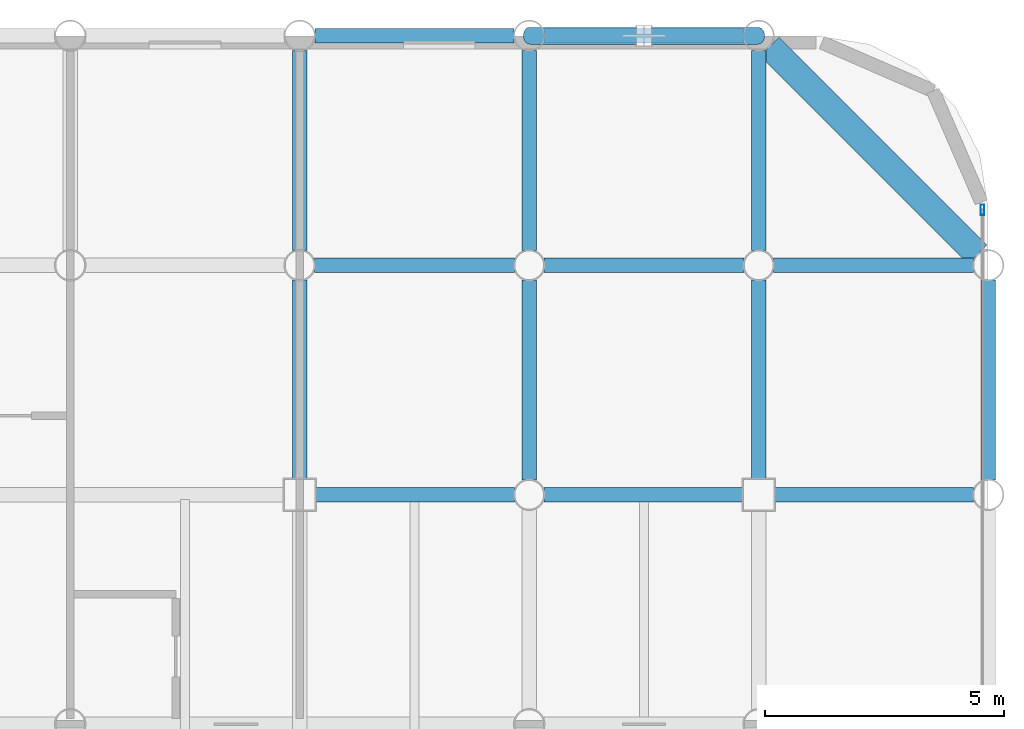
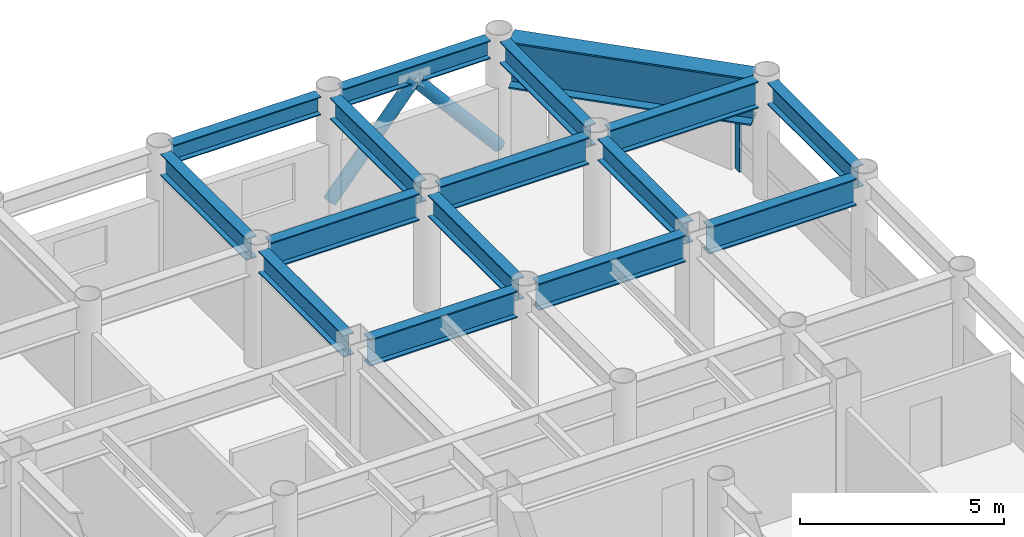
# One storey, part 14 of 20: 16 beams, 3 members, 1 element without a shape of its own.
"""IFC4 building model written with IfcOpenShell, lengths in metres."""

import ifcopenshell
import ifcopenshell.guid

model = None  # the IFC model being written
_history = None  # IfcOwnerHistory: only IFC2X3 demands one
_inside = {}  # id of a spatial element -> (the spatial element, [elements in it])
_under = {}  # id of a project, library or spatial element -> (it, [spatial elements below it])
_declared = {}  # id of a project -> (the project, [libraries it declares])
_typed = {}  # id of a type object -> (the type object, [elements of that type])
_made_of = {}  # id of a material, layer set ... -> (it, [elements and type objects made of it])


def new_model(schema):
    """Start an empty IFC model of exactly this schema.

    Asked for "IFC4X3", IfcOpenShell would pick the latest addendum, in which some entities
    have other attributes; the version numbers below select the first issue.
    IFC2X3 requires an IfcOwnerHistory on every rooted entity: one is made here for all.
    """
    global model, _history
    if schema == "IFC4X3":
        model = ifcopenshell.file(schema_version=(4, 3, 0, 0))
    else:
        model = ifcopenshell.file(schema=schema)
    _inside.clear()
    _under.clear()
    _declared.clear()
    _typed.clear()
    _made_of.clear()
    _history = None
    if model.schema == "IFC2X3":
        org = make("IfcOrganization", Name="unknown")
        user = make(
            "IfcPersonAndOrganization",
            ThePerson=make("IfcPerson", FamilyName="unknown"),
            TheOrganization=org,
        )
        app = make(
            "IfcApplication",
            ApplicationDeveloper=org,
            Version="unknown",
            ApplicationFullName="unknown",
            ApplicationIdentifier="unknown",
        )
        _history = make(
            "IfcOwnerHistory",
            OwningUser=user,
            OwningApplication=app,
            ChangeAction="ADDED",
            CreationDate=0,
        )
    return model


def make(cls, **values):
    """One entity of the class cls with the attributes given. An attribute that is None is left unset."""
    return model.create_entity(
        cls, **{name: value for name, value in values.items() if value is not None}
    )


def rooted(cls, **values):
    """An entity with a GlobalId (a new one), such as an element, a storey or a relation."""
    return make(cls, GlobalId=ifcopenshell.guid.new(), OwnerHistory=_history, **values)


def si_unit(unit_type, name, prefix=None):
    """IfcSIUnit, for example si_unit("LENGTHUNIT", "METRE", prefix="MILLI")."""
    return make("IfcSIUnit", UnitType=unit_type, Prefix=prefix, Name=name)


def assignment(units):
    """IfcUnitAssignment: the units of a project."""
    return None if units is None else make("IfcUnitAssignment", Units=units)


def point(xyz):
    """IfcCartesianPoint."""
    return None if xyz is None else make("IfcCartesianPoint", Coordinates=xyz)


def direction(xyz):
    """IfcDirection."""
    return None if xyz is None else make("IfcDirection", DirectionRatios=xyz)


def frame(location, z_axis=None, x_axis=None):
    """IfcAxis2Placement3D, a coordinate frame: its origin and axes. An axis left out is left unset."""
    return make(
        "IfcAxis2Placement3D",
        Location=point(location),
        Axis=direction(z_axis),
        RefDirection=direction(x_axis),
    )


def frame_2d(location, x_axis=None):
    """IfcAxis2Placement2D, a coordinate frame in the plane: its origin and x axis."""
    return make(
        "IfcAxis2Placement2D", Location=point(location), RefDirection=direction(x_axis)
    )


def origin():
    """The frame at (0, 0, 0) with its axes left unset."""
    return frame((0.0, 0.0, 0.0))


def origin_2d():
    """The frame at (0, 0) in the plane with its x axis left unset."""
    return frame_2d((0.0, 0.0))


def place(relative_to, where):
    """IfcLocalPlacement: puts the frame where relative to a parent placement (None: the world)."""
    return make(
        "IfcLocalPlacement", PlacementRelTo=relative_to, RelativePlacement=where
    )


def context(
    kind, dimensions, precision=None, world=None, true_north=None, identifier=None
):
    """IfcGeometricRepresentationContext, for example the 3D "Model" context."""
    return make(
        "IfcGeometricRepresentationContext",
        ContextIdentifier=identifier,
        ContextType=kind,
        CoordinateSpaceDimension=dimensions,
        Precision=precision,
        WorldCoordinateSystem=world,
        TrueNorth=true_north,
    )


def subcontext(parent, identifier, kind, view, scale=None):
    """IfcGeometricRepresentationSubContext, for example "Body" below "Model"."""
    return make(
        "IfcGeometricRepresentationSubContext",
        ContextIdentifier=identifier,
        ContextType=kind,
        ParentContext=parent,
        TargetScale=scale,
        TargetView=view,
    )


def project(units=None, contexts=None):
    """IfcProject with its units and contexts."""
    return rooted(
        "IfcProject",
        Name="project",
        RepresentationContexts=contexts,
        UnitsInContext=assignment(units),
    )


def spatial(cls, under=None, at=None, **own):
    """A site, building, storey or space (cls), placed at a placement, below another one or the project."""
    s = rooted(cls, ObjectPlacement=at, **own)
    if under is not None:
        _under.setdefault(under.id(), (under, []))[1].append(s)
    return s


def profile(cls, at=None, kind="AREA", **sizes):
    """A parametric profile (cls). Its sizes go by their IFC names, for example OverallWidth=200.0."""
    return make(cls, ProfileType=kind, Position=at, **sizes)


def hollow_rectangle(**sizes):
    """IfcRectangleHollowProfileDef."""
    return profile("IfcRectangleHollowProfileDef", **sizes)


def hollow_circle(**sizes):
    """IfcCircleHollowProfileDef."""
    return profile("IfcCircleHollowProfileDef", **sizes)


def i_section(**sizes):
    """IfcIShapeProfileDef."""
    return profile("IfcIShapeProfileDef", **sizes)


def extrude(swept, where, along, depth):
    """IfcExtrudedAreaSolid: the profile swept, set in the frame where, extruded along a direction by depth."""
    return make(
        "IfcExtrudedAreaSolid",
        SweptArea=swept,
        Position=where,
        ExtrudedDirection=direction(along),
        Depth=depth,
    )


def shape(context_of_items, identifier, shape_type, items):
    """IfcShapeRepresentation: the items that make up one representation, for example the "Body"."""
    return make(
        "IfcShapeRepresentation",
        ContextOfItems=context_of_items,
        RepresentationIdentifier=identifier,
        RepresentationType=shape_type,
        Items=items,
    )


def material(Name=None, Category=None):
    """IfcMaterial."""
    return make("IfcMaterial", Name=Name, Category=Category)


def layer(
    of_material, thickness, ventilated=None, Name=None, Category=None, Priority=None
):
    """IfcMaterialLayer: one layer of a wall or slab, of a material (None: an air gap)."""
    return make(
        "IfcMaterialLayer",
        Material=of_material,
        LayerThickness=thickness,
        IsVentilated=ventilated,
        Name=Name,
        Category=Category,
        Priority=Priority,
    )


def layer_set(layers, Name=None):
    """IfcMaterialLayerSet."""
    return make("IfcMaterialLayerSet", MaterialLayers=layers, LayerSetName=Name)


def material_profile(
    of_material, cross_section, Name=None, Category=None, Priority=None
):
    """IfcMaterialProfile: a cross section and its material."""
    return make(
        "IfcMaterialProfile",
        Name=Name,
        Material=of_material,
        Profile=cross_section,
        Priority=Priority,
        Category=Category,
    )


def profile_set(profiles, Name=None, composite=None):
    """IfcMaterialProfileSet."""
    return make(
        "IfcMaterialProfileSet",
        Name=Name,
        MaterialProfiles=profiles,
        CompositeProfile=composite,
    )


def made_of(thing, what):
    """Note that an element or type object is made of a material, layer set ...; save() writes the relation."""
    if what is not None:
        _made_of.setdefault(what.id(), (what, []))[1].append(thing)
    return thing


def type_object(cls, material=None, **own):
    """A type object (cls), such as IfcWallType, which elements share."""
    return made_of(rooted(cls, **own), material)


def element(
    cls,
    number,
    at=None,
    inside=None,
    cuts=None,
    type_object=None,
    material=None,
    context=None,
    identifier="Body",
    shape_type=None,
    held_by="IfcProductDefinitionShape",
    body=None,
    shapes=None,
    **own,
):
    """One element of the class cls, such as IfcWall. Its Tag is "e" and its number.

    at: its placement. inside: the storey or other place that contains it. cuts: it is an
    opening in that element (IfcRelVoidsElement). A single representation is given by context,
    identifier, shape_type and body (its items); several are given by shapes. held_by: the class
    of the entity that holds the representations. save() writes the other relations.
    """
    e = rooted(cls, Tag="e%d" % number, ObjectPlacement=at, **own)
    if body is not None:
        shapes = [shape(context, identifier, shape_type, body)]
    if shapes is not None:
        e.Representation = make(held_by, Representations=shapes)
    if inside is not None:
        _inside.setdefault(inside.id(), (inside, []))[1].append(e)
    if cuts is not None:
        rooted(
            "IfcRelVoidsElement", RelatingBuildingElement=cuts, RelatedOpeningElement=e
        )
    if type_object is not None:
        _typed.setdefault(type_object.id(), (type_object, []))[1].append(e)
    return made_of(e, material)


def aggregate(whole, parts):
    """IfcRelAggregates: a whole, such as a stair, and the parts it consists of."""
    return rooted("IfcRelAggregates", RelatingObject=whole, RelatedObjects=parts)


def save(model, path):
    """Write the relations noted so far, then the file.

    IfcRelAggregates (storeys below a building ...), IfcRelContainedInSpatialStructure (elements
    in a storey), IfcRelDefinesByType, IfcRelAssociatesMaterial and IfcRelDeclares: one each for
    every whole, place, type object, material and project.
    """
    for whole, parts in _under.values():
        aggregate(whole, parts)
    for where, things in _inside.values():
        rooted(
            "IfcRelContainedInSpatialStructure",
            RelatedElements=things,
            RelatingStructure=where,
        )
    for kind, things in _typed.values():
        rooted("IfcRelDefinesByType", RelatedObjects=things, RelatingType=kind)
    for what, things in _made_of.values():
        rooted("IfcRelAssociatesMaterial", RelatedObjects=things, RelatingMaterial=what)
    for by, libraries in _declared.values():
        rooted("IfcRelDeclares", RelatingContext=by, RelatedDefinitions=libraries)
    model.write(path)


model = new_model("IFC4")

# Units and contexts
model_context = context("Model", 3, precision=1e-05, world=origin(), true_north=direction((0.0, 1.0)))
body_context = subcontext(model_context, "Body", "Model", "MODEL_VIEW")
ifc_project = project(units=[si_unit("LENGTHUNIT", "METRE"), si_unit("AREAUNIT", "SQUARE_METRE"), si_unit("VOLUMEUNIT", "CUBIC_METRE"), si_unit("PLANEANGLEUNIT", "RADIAN"), si_unit("MASSUNIT", "GRAM", prefix="KILO")], contexts=[model_context])

# Site, building, storey
site_placement = place(None, origin())
site = spatial("IfcSite", under=ifc_project, at=site_placement, CompositionType="ELEMENT")
building_placement = place(site_placement, origin())
building = spatial("IfcBuilding", under=site, at=building_placement, Name="Kallvorn Hotel Tower", CompositionType="ELEMENT")
storey_placement = place(building_placement, frame((0.0, 0.0, 135.89990234375)))
storey = spatial("IfcBuildingStorey", under=building, at=storey_placement, Name="L33", CompositionType="ELEMENT", Elevation=135.89990234375)

# Beams
ifc_material_1 = material(Name="Structural steel S355JR", Category="steel")
ifc_material_profile_1 = material_profile(ifc_material_1, i_section(OverallWidth=0.300048828125, OverallDepth=0.550048828125, WebThickness=0.014892578125, FlangeThickness=0.029052734375, at=origin_2d()), Name="HE 550 B")
ifc_profile_set_1 = profile_set([ifc_material_profile_1], Name="Structural steel S355JR")
beam_type_1 = type_object("IfcBeamType", Name="BM_HE550B", PredefinedType="SPANDREL", material=ifc_profile_set_1)
for number, where, z_axis, x_axis, name in (
    (1, (14.719970703125, 24.0, 3.2451171875), (1.0, 0.0, 0.0), (0.0, 1.0, 0.0), "L34 Perimeter Spandrel 172"),
    (2, (19.52001953125, 24.0, 3.2451171875), (1.0, 0.0, 0.0), (0.0, 1.0, 0.0), "L34 Perimeter Spandrel 173"),
):
    element("IfcBeam", number, at=place(storey_placement, frame(where, z_axis=z_axis, x_axis=x_axis)), inside=storey, type_object=beam_type_1, Name=name, PredefinedType="SPANDREL", context=body_context, shape_type="SweptSolid", body=[
        extrude(i_section(OverallWidth=0.300048828125, OverallDepth=0.550048828125, WebThickness=0.014892578125, FlangeThickness=0.029052734375, at=origin_2d()), origin(), (0.0, 0.0, 1.0), 4.159912109375),
    ])
ifc_material_2 = material(Name="Structural steel S355JR", Category="steel")
ifc_material_profile_2 = material_profile(ifc_material_2, i_section(OverallWidth=0.300048828125, OverallDepth=0.64990234375, WebThickness=0.01611328125, FlangeThickness=0.031005859375, at=origin_2d()), Name="HE 650 B")
ifc_profile_set_2 = profile_set([ifc_material_profile_2], Name="Structural steel S355JR")
beam_type_2 = type_object("IfcBeamType", Name="BM_HE650B", PredefinedType="BEAM", material=ifc_profile_set_2)
beam_1_placement = place(storey_placement, frame((14.39990234375, 14.72509765625, 3.195068359375), z_axis=(0.0, 1.0, 0.0), x_axis=(-1.0, 0.0, 0.0)))
element("IfcBeam", 3, at=beam_1_placement, inside=storey, type_object=beam_type_2, Name="L34 Primary Y-Girder 125", PredefinedType="BEAM", context=body_context, shape_type="SweptSolid", body=[
    extrude(i_section(OverallWidth=0.300048828125, OverallDepth=0.64990234375, WebThickness=0.01611328125, FlangeThickness=0.031005859375, at=origin_2d()), origin(), (0.0, 0.0, 1.0), 4.169921875),
])
beam_2_placement = place(storey_placement, frame((14.39990234375, 19.5048828125, 3.195068359375), z_axis=(0.0, 1.0, 0.0), x_axis=(-1.0, 0.0, 0.0)))
element("IfcBeam", 4, at=beam_2_placement, inside=storey, type_object=beam_type_2, Name="L34 Primary Y-Girder 126", PredefinedType="BEAM", context=body_context, shape_type="SweptSolid", body=[
    extrude(i_section(OverallWidth=0.300048828125, OverallDepth=0.64990234375, WebThickness=0.01611328125, FlangeThickness=0.031005859375, at=origin_2d()), origin(), (0.0, 0.0, 1.0), 4.190185546875),
])
beam_3_placement = place(storey_placement, frame((19.199951171875, 14.705078125, 3.195068359375), z_axis=(0.0, 1.0, 0.0), x_axis=(-1.0, 0.0, 0.0)))
element("IfcBeam", 5, at=beam_3_placement, inside=storey, type_object=beam_type_2, Name="L34 Primary Y-Girder 134", PredefinedType="BEAM", context=body_context, shape_type="SweptSolid", body=[
    extrude(i_section(OverallWidth=0.300048828125, OverallDepth=0.64990234375, WebThickness=0.01611328125, FlangeThickness=0.031005859375, at=origin_2d()), origin(), (0.0, 0.0, 1.0), 4.18994140625),
])
beam_4_placement = place(storey_placement, frame((19.199951171875, 19.5048828125, 3.195068359375), z_axis=(0.0, 1.0, 0.0), x_axis=(-1.0, 0.0, 0.0)))
element("IfcBeam", 6, at=beam_4_placement, inside=storey, type_object=beam_type_2, Name="L34 Primary Y-Girder 135", PredefinedType="BEAM", context=body_context, shape_type="SweptSolid", body=[
    extrude(i_section(OverallWidth=0.300048828125, OverallDepth=0.64990234375, WebThickness=0.01611328125, FlangeThickness=0.031005859375, at=origin_2d()), origin(), (0.0, 0.0, 1.0), 4.190185546875),
])
beam_5_placement = place(storey_placement, frame((24.0, 14.72509765625, 3.195068359375), z_axis=(0.0, 1.0, 0.0), x_axis=(-1.0, 0.0, 0.0)))
element("IfcBeam", 7, at=beam_5_placement, inside=storey, type_object=beam_type_2, Name="L34 Primary Y-Girder 141", PredefinedType="BEAM", context=body_context, shape_type="SweptSolid", body=[
    extrude(i_section(OverallWidth=0.300048828125, OverallDepth=0.64990234375, WebThickness=0.01611328125, FlangeThickness=0.031005859375, at=origin_2d()), origin(), (0.0, 0.0, 1.0), 4.169921875),
])
beam_6_placement = place(storey_placement, frame((24.0, 19.5048828125, 3.195068359375), z_axis=(0.0, 1.0, 0.0), x_axis=(-1.0, 0.0, 0.0)))
element("IfcBeam", 8, at=beam_6_placement, inside=storey, type_object=beam_type_2, Name="L34 Primary Y-Girder 142", PredefinedType="BEAM", context=body_context, shape_type="SweptSolid", body=[
    extrude(i_section(OverallWidth=0.300048828125, OverallDepth=0.64990234375, WebThickness=0.01611328125, FlangeThickness=0.031005859375, at=origin_2d()), origin(), (0.0, 0.0, 1.0), 4.190185546875),
])
beam_7_placement = place(storey_placement, frame((28.800048828125, 14.705078125, 3.195068359375), z_axis=(0.0, 1.0, 0.0), x_axis=(-1.0, 0.0, 0.0)))
element("IfcBeam", 9, at=beam_7_placement, inside=storey, type_object=beam_type_2, Name="L34 Primary Y-Girder 150", PredefinedType="BEAM", context=body_context, shape_type="SweptSolid", body=[
    extrude(i_section(OverallWidth=0.300048828125, OverallDepth=0.64990234375, WebThickness=0.01611328125, FlangeThickness=0.031005859375, at=origin_2d()), origin(), (0.0, 0.0, 1.0), 4.18994140625),
])
ifc_material_3 = material(Name="Structural steel S355JR", Category="steel")
ifc_material_profile_3 = material_profile(ifc_material_3, i_section(OverallWidth=0.300048828125, OverallDepth=0.800048828125, WebThickness=0.017578125, FlangeThickness=0.032958984375, at=origin_2d()), Name="HE 800 B")
ifc_profile_set_3 = profile_set([ifc_material_profile_3], Name="Structural steel S355JR")
beam_type_3 = type_object("IfcBeamType", Name="BM_HE800B", PredefinedType="BEAM", material=ifc_profile_set_3)
beam_8_placement = place(storey_placement, frame((14.72509765625, 14.39990234375, 3.1201171875), z_axis=(1.0, 0.0, 0.0), x_axis=(0.0, 1.0, 0.0)))
element("IfcBeam", 10, at=beam_8_placement, inside=storey, type_object=beam_type_3, Name="L34 Primary X-Girder 57", PredefinedType="BEAM", context=body_context, shape_type="SweptSolid", body=[
    extrude(i_section(OverallWidth=0.300048828125, OverallDepth=0.800048828125, WebThickness=0.017578125, FlangeThickness=0.032958984375, at=origin_2d()), origin(), (0.0, 0.0, 1.0), 4.169921875),
])
for number, where, z_axis, x_axis, name in (
    (11, (19.5048828125, 14.39990234375, 3.1201171875), (1.0, 0.0, 0.0), (0.0, 1.0, 0.0), "L34 Primary X-Girder 58"),
    (12, (24.324951171875, 14.39990234375, 3.1201171875), (1.0, 0.0, 0.0), (0.0, 1.0, 0.0), "L34 Primary X-Girder 59"),
):
    element("IfcBeam", number, at=place(storey_placement, frame(where, z_axis=z_axis, x_axis=x_axis)), inside=storey, type_object=beam_type_3, Name=name, PredefinedType="BEAM", context=body_context, shape_type="SweptSolid", body=[
        extrude(i_section(OverallWidth=0.300048828125, OverallDepth=0.800048828125, WebThickness=0.017578125, FlangeThickness=0.032958984375, at=origin_2d()), origin(), (0.0, 0.0, 1.0), 4.170166015625),
    ])
beam_9_placement = place(storey_placement, frame((14.705078125, 19.199951171875, 3.1201171875), z_axis=(1.0, 0.0, 0.0), x_axis=(0.0, 1.0, 0.0)))
element("IfcBeam", 13, at=beam_9_placement, inside=storey, type_object=beam_type_3, Name="L34 Primary X-Girder 70", PredefinedType="BEAM", context=body_context, shape_type="SweptSolid", body=[
    extrude(i_section(OverallWidth=0.300048828125, OverallDepth=0.800048828125, WebThickness=0.017578125, FlangeThickness=0.032958984375, at=origin_2d()), origin(), (0.0, 0.0, 1.0), 4.18994140625),
])
for number, where, z_axis, x_axis, name in (
    (14, (19.5048828125, 19.199951171875, 3.1201171875), (1.0, 0.0, 0.0), (0.0, 1.0, 0.0), "L34 Primary X-Girder 71"),
    (15, (24.304931640625, 19.199951171875, 3.1201171875), (1.0, 0.0, 0.0), (0.0, 1.0, 0.0), "L34 Primary X-Girder 72"),
):
    element("IfcBeam", number, at=place(storey_placement, frame(where, z_axis=z_axis, x_axis=x_axis)), inside=storey, type_object=beam_type_3, Name=name, PredefinedType="BEAM", context=body_context, shape_type="SweptSolid", body=[
        extrude(i_section(OverallWidth=0.300048828125, OverallDepth=0.800048828125, WebThickness=0.017578125, FlangeThickness=0.032958984375, at=origin_2d()), origin(), (0.0, 0.0, 1.0), 4.190185546875),
    ])
ifc_material_4 = material(Name="Structural steel S355JR", Category="steel")
ifc_material_profile_4 = material_profile(ifc_material_4, i_section(OverallWidth=0.550048828125, OverallDepth=1.39990234375, WebThickness=0.02490234375, FlangeThickness=0.044921875, at=origin_2d()), Name="PG 1400x550x25x45")
ifc_profile_set_4 = profile_set([ifc_material_profile_4], Name="Structural steel S355JR")
beam_type_4 = type_object("IfcBeamType", Name="BM_PG_1400", PredefinedType="BEAM", material=ifc_profile_set_4)
beam_10_placement = place(storey_placement, frame((28.57373046875, 19.42626953125, 2.820068359375), z_axis=(-0.707106781187, 0.707106781187, 0.0), x_axis=(-0.707106781187, -0.707106781187, 0.0)))
element("IfcBeam", 16, at=beam_10_placement, inside=storey, type_object=beam_type_4, Name="L34 Rounded Corner Tie Beam 191", PredefinedType="BEAM", context=body_context, shape_type="SweptSolid", body=[
    extrude(i_section(OverallWidth=0.550048828125, OverallDepth=1.39990234375, WebThickness=0.02490234375, FlangeThickness=0.044921875, at=origin_2d()), origin(), (0.0, 0.0, 1.0), 6.148193359375),
])

# Curtain wall, member
ifc_material_5 = material(Name="Thermally broken black-anodised aluminium AA 6063-T6", Category="aluminium")
ifc_layer = layer(ifc_material_5, 0.2099609375)
ifc_layer_set = layer_set([ifc_layer], Name="CW_SYS_4_HOTEL_MID")
curtain_wall_type = type_object("IfcCurtainWallType", Name="CW_SYS_4_HOTEL_MID", PredefinedType="USERDEFINED", material=ifc_layer_set)
curtain_wall_placement = place(storey_placement, origin())
curtain_wall = element("IfcCurtainWall", 17, at=curtain_wall_placement, inside=storey, type_object=curtain_wall_type, Name="L33 Dark-Glass Curtain Wall CW-L33-EN", ObjectType="UNITISED CURTAIN WALL", PredefinedType="USERDEFINED")
ifc_material_6 = material(Name="Thermally broken black-anodised aluminium AA 6063-T6", Category="aluminium")
ifc_material_profile_5 = material_profile(ifc_material_6, hollow_rectangle(XDim=0.080078125, YDim=0.219970703125, WallThickness=0.0048828125, at=origin_2d()), Name="MUL 220x80")
ifc_profile_set_5 = profile_set([ifc_material_profile_5], Name="Thermally broken black-anodised aluminium AA 6063-T6")
member_type_1 = type_object("IfcMemberType", Name="CW_MULLION_220x80", PredefinedType="MULLION", material=ifc_profile_set_5)
member_placement = place(storey_placement, frame((28.679931640625, 20.360107421875, 0.02001953125), z_axis=(0.0, 0.0, 1.0), x_axis=(1.0, 0.0, 0.0)))
member = element("IfcMember", 18, at=member_placement, type_object=member_type_1, Name="CW-L33-EN Mullion 01", PredefinedType="MULLION", context=body_context, shape_type="SweptSolid", body=[
    extrude(hollow_rectangle(XDim=0.080078125, YDim=0.219970703125, WallThickness=0.0048828125, at=origin_2d()), origin(), (0.0, 0.0, 1.0), 2.080078125),
])
aggregate(curtain_wall, [member])

# Members
ifc_material_7 = material(Name="Structural steel S355J2H", Category="steel")
ifc_material_profile_6 = material_profile(ifc_material_7, hollow_circle(Radius=0.177734375, WallThickness=0.01416015625, at=origin_2d()), Name="CHS 355.6x14.2")
ifc_profile_set_6 = profile_set([ifc_material_profile_6], Name="Structural steel S355J2H")
member_type_2 = type_object("IfcMemberType", Name="MBR_EXO_CHS355", PredefinedType="BRACE", material=ifc_profile_set_6)
for number, where, z_axis, x_axis, name in (
    (19, (19.212890625, 24.0, 0.1953125), (0.646800487591, 0.0, 0.762659248453), (0.0, 1.0, 0.0), "L33 Exoskeleton K-Brace N2A"),
    (20, (23.987060546875, 24.0, 0.1953125), (-0.646800487591, 0.0, 0.762659248453), (0.0, -1.0, 0.0), "L33 Exoskeleton K-Brace N2B"),
):
    element("IfcMember", number, at=place(storey_placement, frame(where, z_axis=z_axis, x_axis=x_axis)), inside=storey, type_object=member_type_2, Name=name, PredefinedType="BRACE", context=body_context, shape_type="SweptSolid", body=[
        extrude(hollow_circle(Radius=0.177734375, WallThickness=0.01416015625, at=origin_2d()), origin(), (0.0, 0.0, 1.0), 3.6708984375),
    ])

save(model, "model.ifc")
